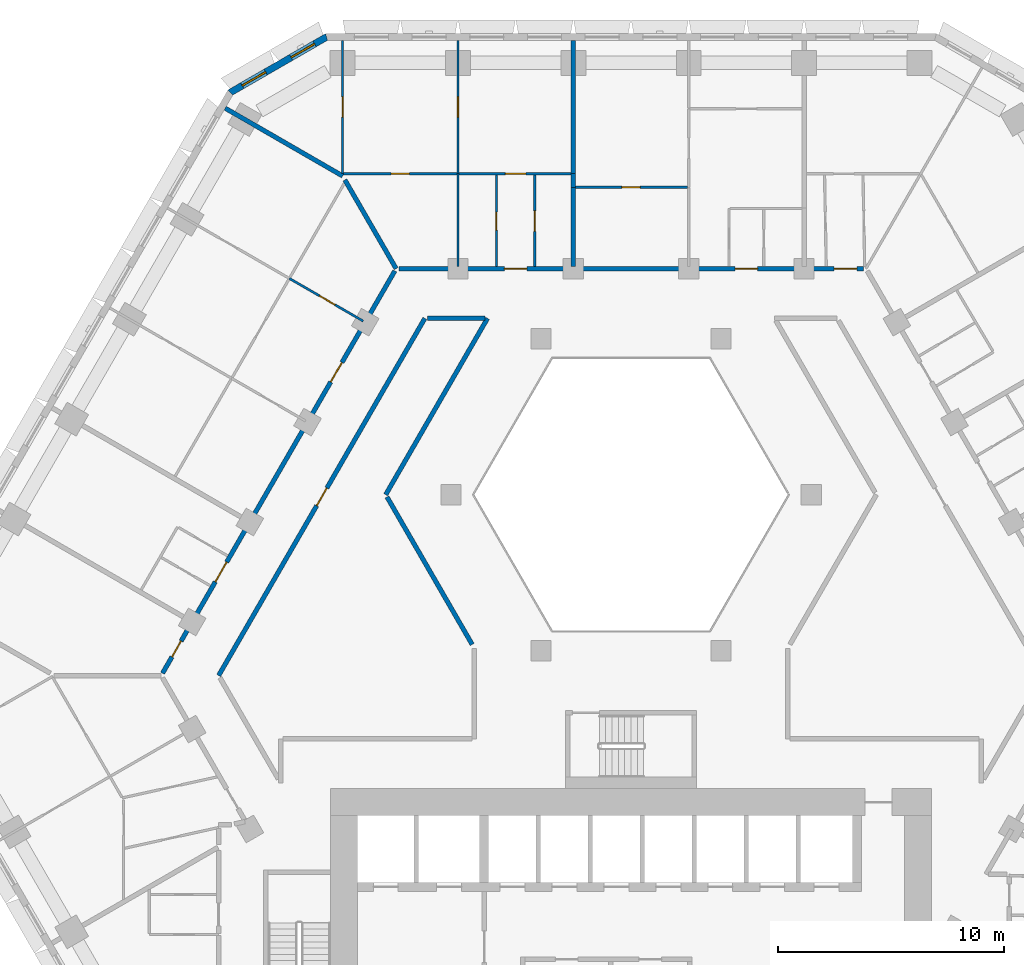
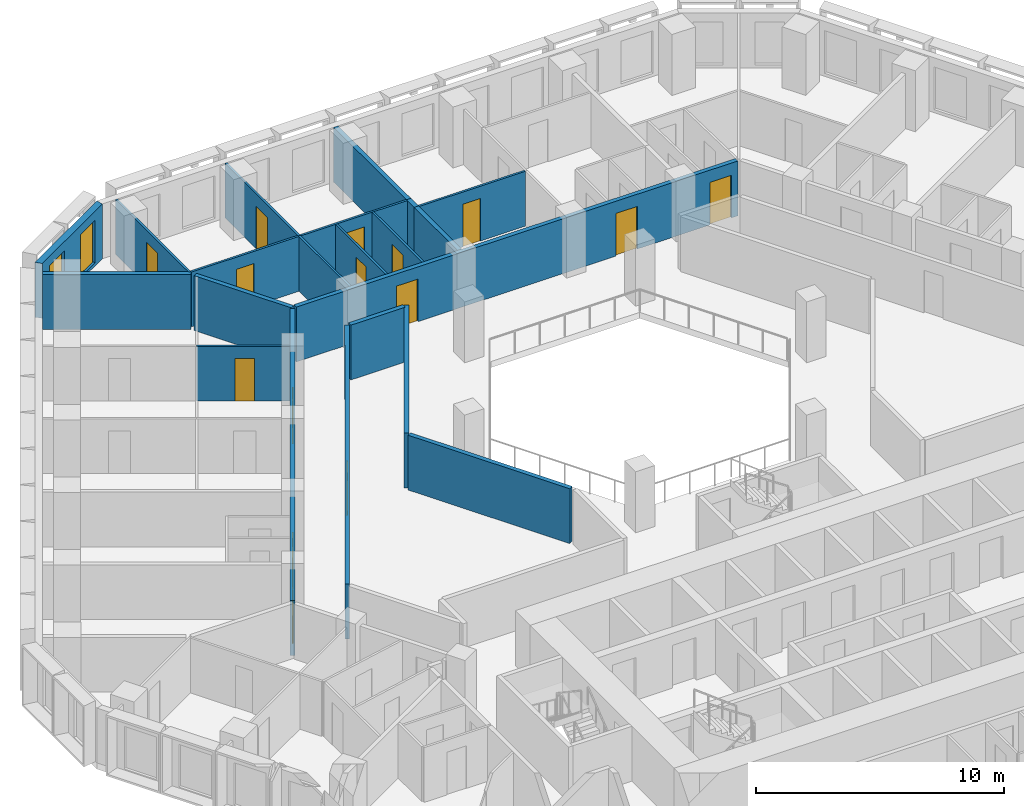
# One storey, part 9 of 21: 20 walls, 15 doors, 2 windows, 17 openings.
"""IFC4 building model written with IfcOpenShell, lengths in metres."""

from ifc_helpers import new_model, si_unit, direction, frame, frame_2d, origin, place, context, subcontext, project, spatial, polyline, rectangle, outline, extrude, material, layer, layer_set, type_object, element, fill, save


model = new_model("IFC4")

# Units and contexts
model_context = context("Model", 3, precision=1e-05, world=origin(), true_north=direction((0.0, 1.0)))
body_context = subcontext(model_context, "Body", "Model", "MODEL_VIEW")
ifc_project = project(units=[si_unit("LENGTHUNIT", "METRE"), si_unit("AREAUNIT", "SQUARE_METRE"), si_unit("VOLUMEUNIT", "CUBIC_METRE"), si_unit("PLANEANGLEUNIT", "RADIAN"), si_unit("MASSUNIT", "GRAM", prefix="KILO")], contexts=[model_context])

# Site, building, storey
site_placement = place(None, origin())
site = spatial("IfcSite", under=ifc_project, at=site_placement, CompositionType="ELEMENT")
building_placement = place(site_placement, origin())
building = spatial("IfcBuilding", under=site, at=building_placement, Name="Beryl Residences", CompositionType="ELEMENT")
storey_placement = place(building_placement, frame((0.0, 0.0, 41.39990234375)))
storey = spatial("IfcBuildingStorey", under=building, at=storey_placement, Name="L12", CompositionType="ELEMENT", Elevation=41.39990234375)

# Wall, openings, windows
ifc_material_1 = material(Name="Composite metal panel with mineral wool insulation")
ifc_layer_1 = layer(ifc_material_1, 0.300048828125)
ifc_layer_set_1 = layer_set([ifc_layer_1], Name="ES1 pale metal composite panel wall 300 mm")
wall_type_1 = type_object("IfcWallType", Name="ES1 pale metal composite panel wall 300 mm", PredefinedType="SOLIDWALL", material=ifc_layer_set_1)
wall_1_placement = place(storey_placement, frame((-13.43505859375, 28.27001953125, 0.0), z_axis=(0.0, 0.0, 1.0), x_axis=(-0.866010750942, -0.50002537861, 0.0)))
wall_1 = element("IfcWall", 1, at=wall_1_placement, inside=storey, type_object=wall_type_1, Name="ES1 external wall L12 N-NW", PredefinedType="SOLIDWALL", context=body_context, shape_type="SweptSolid", body=[
    extrude(outline(polyline([(0.0, -0.14990234375), (4.999755859375, -0.14990234375), (4.91943359375, 0.14990234375), (0.080322265625, 0.14990234375), (0.0, -0.14990234375)])), origin(), (0.0, 0.0, 1.0), 2.7001953125),
])
opening_1_placement = place(wall_1_placement, frame((0.64990234375, 0.0, 0.14990234375)))
opening_1 = element("IfcOpeningElement", 2, at=opening_1_placement, cuts=wall_1, Name="Opening W2", PredefinedType="OPENING", context=body_context, shape_type="SweptSolid", body=[
    extrude(rectangle(XDim=1.199951171875, YDim=2.10009765625, at=frame_2d((0.60009765625, 1.050048828125))), frame((0.0, 0.159912109375, 0.0), z_axis=(0.0, -1.0, 0.0), x_axis=(1.0, 0.0, 0.0)), (0.0, 0.0, 1.0), 0.320068359375),
])
opening_2_placement = place(wall_1_placement, frame((3.14892578125, 0.0, 0.14990234375)))
opening_2 = element("IfcOpeningElement", 3, at=opening_2_placement, cuts=wall_1, Name="Opening W2", PredefinedType="OPENING", context=body_context, shape_type="SweptSolid", body=[
    extrude(rectangle(XDim=1.199951171875, YDim=2.10009765625, at=frame_2d((0.60009765625, 1.050048828125))), frame((0.0, 0.159912109375, 0.0), z_axis=(0.0, -1.0, 0.0), x_axis=(1.0, 0.0, 0.0)), (0.0, 0.0, 1.0), 0.320068359375),
])
ifc_material_2 = material(Name="Aluminium and clear glass", Category="aluminium")
window_type = type_object("IfcWindowType", Name="W2 chamfer window 1200 x 2100 mm", PartitioningType="SINGLE_PANEL", PredefinedType="WINDOW", material=ifc_material_2)
window_1_placement = place(opening_1_placement, origin())
window_1 = element("IfcWindow", 4, at=window_1_placement, inside=storey, type_object=window_type, Name="W2 window L12 N-NW 1", OverallHeight=2.10009765625, OverallWidth=1.199951171875, PartitioningType="SINGLE_PANEL", PredefinedType="WINDOW", context=body_context, shape_type="SweptSolid", body=[
    extrude(rectangle(XDim=1.199951171875, YDim=2.10009765625, at=frame_2d((0.60009765625, 1.050048828125))), frame((0.0, 0.030029296875, 0.0), z_axis=(0.0, -1.0, 0.0), x_axis=(1.0, 0.0, 0.0)), (0.0, 0.0, 1.0), 0.06005859375),
])
fill(opening_1, window_1)
window_2_placement = place(opening_2_placement, origin())
window_2 = element("IfcWindow", 5, at=window_2_placement, inside=storey, type_object=window_type, Name="W2 window L12 N-NW 2", OverallHeight=2.10009765625, OverallWidth=1.199951171875, PartitioningType="SINGLE_PANEL", PredefinedType="WINDOW", context=body_context, shape_type="SweptSolid", body=[
    extrude(rectangle(XDim=1.199951171875, YDim=2.10009765625, at=frame_2d((0.60009765625, 1.050048828125))), frame((0.0, 0.030029296875, 0.0), z_axis=(0.0, -1.0, 0.0), x_axis=(1.0, 0.0, 0.0)), (0.0, 0.0, 1.0), 0.06005859375),
])
fill(opening_2, window_2)

# Wall, opening, door
ifc_material_3 = material(Name="Gypsum board partition on steel studs", Category="steel")
ifc_layer_2 = layer(ifc_material_3, 0.10009765625)
ifc_layer_set_2 = layer_set([ifc_layer_2], Name="PT1 partition 100 mm gypsum board on steel studs")
wall_type_2 = type_object("IfcWallType", Name="PT1 partition 100 mm gypsum board on steel studs", PredefinedType="PARTITIONING", material=ifc_layer_set_2)
wall_2_placement = place(storey_placement, frame((-2.452880859375, 21.60009765625, 0.0), z_axis=(0.0, 0.0, 1.0), x_axis=(1.0, 0.0, 0.0)))
wall_2 = element("IfcWall", 6, at=wall_2_placement, inside=storey, type_object=wall_type_2, Name="Wall PT1 L12 036", PredefinedType="PARTITIONING", context=body_context, shape_type="SweptSolid", body=[
    extrude(rectangle(XDim=4.953857421875, YDim=0.10009765625, at=frame_2d((2.47705078125, 0.0))), origin(), (0.0, 0.0, 1.0), 2.7001953125),
])
opening_3_placement = place(wall_2_placement, frame((2.052001953125, 0.0, 0.0)))
opening_3 = element("IfcOpeningElement", 7, at=opening_3_placement, cuts=wall_2, Name="Opening D0274", PredefinedType="OPENING", context=body_context, shape_type="SweptSolid", body=[
    extrude(rectangle(XDim=0.800048828125, YDim=2.10009765625, at=frame_2d((0.39990234375, 1.050048828125))), frame((0.0, 0.06005859375, 0.0), z_axis=(0.0, -1.0, 0.0), x_axis=(1.0, 0.0, 0.0)), (0.0, 0.0, 1.0), 0.1201171875),
])
ifc_material_4 = material(Name="Timber door leaf", Category="wood")
door_type_1 = type_object("IfcDoorType", Name="D3 bathroom door 800 x 2100 mm", OperationType="SINGLE_SWING_LEFT", PredefinedType="DOOR", material=ifc_material_4)
door_1_placement = place(opening_3_placement, origin())
door_1 = element("IfcDoor", 8, at=door_1_placement, inside=storey, type_object=door_type_1, Name="Door D0274 L12 001", OperationType="SINGLE_SWING_RIGHT", OverallHeight=2.10009765625, OverallWidth=0.800048828125, PredefinedType="DOOR", context=body_context, shape_type="SweptSolid", body=[
    extrude(rectangle(XDim=0.800048828125, YDim=2.10009765625, at=frame_2d((0.39990234375, 1.050048828125))), frame((0.0, 0.02490234375, 0.0), z_axis=(0.0, -1.0, 0.0), x_axis=(1.0, 0.0, 0.0)), (0.0, 0.0, 1.0), 0.050048828125),
])
fill(opening_3, door_1)

# Wall, openings, doors
wall_3_placement = place(storey_placement, frame((-12.7109375, 22.199951171875, 0.0), z_axis=(0.0, 0.0, 1.0), x_axis=(1.0, 0.0, 0.0)))
wall_3 = element("IfcWall", 9, at=wall_3_placement, inside=storey, type_object=wall_type_2, Name="Wall PT1 L12 037", PredefinedType="PARTITIONING", context=body_context, shape_type="SweptSolid", body=[
    extrude(rectangle(XDim=10.057861328125, YDim=0.10009765625, at=frame_2d((5.02880859375, 0.0))), origin(), (0.0, 0.0, 1.0), 2.7001953125),
])
opening_4_placement = place(wall_3_placement, frame((7.156005859375, 0.0, 0.0)))
opening_4 = element("IfcOpeningElement", 10, at=opening_4_placement, cuts=wall_3, Name="Opening D0278", PredefinedType="OPENING", context=body_context, shape_type="SweptSolid", body=[
    extrude(rectangle(XDim=0.89990234375, YDim=2.10009765625, at=frame_2d((0.449951171875, 1.050048828125))), frame((0.0, 0.06005859375, 0.0), z_axis=(0.0, -1.0, 0.0), x_axis=(1.0, 0.0, 0.0)), (0.0, 0.0, 1.0), 0.1201171875),
])
opening_5_placement = place(wall_3_placement, frame((2.10205078125, 0.0, 0.0)))
opening_5 = element("IfcOpeningElement", 11, at=opening_5_placement, cuts=wall_3, Name="Opening D0281", PredefinedType="OPENING", context=body_context, shape_type="SweptSolid", body=[
    extrude(rectangle(XDim=0.800048828125, YDim=2.10009765625, at=frame_2d((0.39990234375, 1.050048828125))), frame((0.0, 0.06005859375, 0.0), z_axis=(0.0, -1.0, 0.0), x_axis=(1.0, 0.0, 0.0)), (0.0, 0.0, 1.0), 0.1201171875),
])
ifc_material_5 = material(Name="Timber door leaf", Category="wood")
door_type_2 = type_object("IfcDoorType", Name="D2 room door 900 x 2100 mm", OperationType="SINGLE_SWING_LEFT", PredefinedType="DOOR", material=ifc_material_5)
door_2_placement = place(opening_4_placement, origin())
door_2 = element("IfcDoor", 12, at=door_2_placement, inside=storey, type_object=door_type_2, Name="Door D0278 L12 001", OperationType="SINGLE_SWING_RIGHT", OverallHeight=2.10009765625, OverallWidth=0.89990234375, PredefinedType="DOOR", context=body_context, shape_type="SweptSolid", body=[
    extrude(rectangle(XDim=0.89990234375, YDim=2.10009765625, at=frame_2d((0.449951171875, 1.050048828125))), frame((0.0, 0.02490234375, 0.0), z_axis=(0.0, -1.0, 0.0), x_axis=(1.0, 0.0, 0.0)), (0.0, 0.0, 1.0), 0.050048828125),
])
fill(opening_4, door_2)
door_3_placement = place(opening_5_placement, origin())
door_3 = element("IfcDoor", 13, at=door_3_placement, inside=storey, type_object=door_type_1, Name="Door D0281 L12 001", OperationType="SINGLE_SWING_LEFT", OverallHeight=2.10009765625, OverallWidth=0.800048828125, PredefinedType="DOOR", context=body_context, shape_type="SweptSolid", body=[
    extrude(rectangle(XDim=0.800048828125, YDim=2.10009765625, at=frame_2d((0.39990234375, 1.050048828125))), frame((0.0, 0.02490234375, 0.0), z_axis=(0.0, -1.0, 0.0), x_axis=(1.0, 0.0, 0.0)), (0.0, 0.0, 1.0), 0.050048828125),
])
fill(opening_5, door_3)

# Wall, opening, door
wall_4_placement = place(storey_placement, frame((-4.2548828125, 18.10009765625, 0.0), z_axis=(0.0, 0.0, 1.0), x_axis=(0.0, 1.0, 0.0)))
wall_4 = element("IfcWall", 14, at=wall_4_placement, inside=storey, type_object=wall_type_2, Name="Wall PT1 L12 055", PredefinedType="PARTITIONING", context=body_context, shape_type="SweptSolid", body=[
    extrude(rectangle(XDim=4.0498046875, YDim=0.10009765625, at=frame_2d((2.02490234375, 0.0))), origin(), (0.0, 0.0, 1.0), 2.7001953125),
])
opening_6_placement = place(wall_4_placement, frame((1.550048828125, 0.0, 0.0)))
opening_6 = element("IfcOpeningElement", 15, at=opening_6_placement, cuts=wall_4, Name="Opening D0277", PredefinedType="OPENING", context=body_context, shape_type="SweptSolid", body=[
    extrude(rectangle(XDim=0.89990234375, YDim=2.10009765625, at=frame_2d((0.449951171875, 1.050048828125))), frame((0.0, 0.06005859375, 0.0), z_axis=(0.0, -1.0, 0.0), x_axis=(1.0, 0.0, 0.0)), (0.0, 0.0, 1.0), 0.1201171875),
])
door_4_placement = place(opening_6_placement, origin())
door_4 = element("IfcDoor", 16, at=door_4_placement, inside=storey, type_object=door_type_2, Name="Door D0277 L12 001", OperationType="SINGLE_SWING_LEFT", OverallHeight=2.10009765625, OverallWidth=0.89990234375, PredefinedType="DOOR", context=body_context, shape_type="SweptSolid", body=[
    extrude(rectangle(XDim=0.89990234375, YDim=2.10009765625, at=frame_2d((0.449951171875, 1.050048828125))), frame((0.0, 0.02490234375, 0.0), z_axis=(0.0, -1.0, 0.0), x_axis=(1.0, 0.0, 0.0)), (0.0, 0.0, 1.0), 0.050048828125),
])
fill(opening_6, door_4)

wall_5_placement = place(storey_placement, frame((-5.955078125, 18.10009765625, 0.0), z_axis=(0.0, 0.0, 1.0), x_axis=(0.0, 1.0, 0.0)))
wall_5 = element("IfcWall", 17, at=wall_5_placement, inside=storey, type_object=wall_type_2, Name="Wall PT1 L12 056", PredefinedType="PARTITIONING", context=body_context, shape_type="SweptSolid", body=[
    extrude(rectangle(XDim=4.0498046875, YDim=0.10009765625, at=frame_2d((2.02490234375, 0.0))), origin(), (0.0, 0.0, 1.0), 2.7001953125),
])
opening_7_placement = place(wall_5_placement, frame((1.60009765625, 0.0, 0.0)))
opening_7 = element("IfcOpeningElement", 18, at=opening_7_placement, cuts=wall_5, Name="Opening D0276", PredefinedType="OPENING", context=body_context, shape_type="SweptSolid", body=[
    extrude(rectangle(XDim=0.800048828125, YDim=2.10009765625, at=frame_2d((0.39990234375, 1.050048828125))), frame((0.0, 0.06005859375, 0.0), z_axis=(0.0, -1.0, 0.0), x_axis=(1.0, 0.0, 0.0)), (0.0, 0.0, 1.0), 0.1201171875),
])
door_5_placement = place(opening_7_placement, origin())
door_5 = element("IfcDoor", 19, at=door_5_placement, inside=storey, type_object=door_type_1, Name="Door D0276 L12 001", OperationType="SINGLE_SWING_RIGHT", OverallHeight=2.10009765625, OverallWidth=0.800048828125, PredefinedType="DOOR", context=body_context, shape_type="SweptSolid", body=[
    extrude(rectangle(XDim=0.800048828125, YDim=2.10009765625, at=frame_2d((0.39990234375, 1.050048828125))), frame((0.0, 0.02490234375, 0.0), z_axis=(0.0, -1.0, 0.0), x_axis=(1.0, 0.0, 0.0)), (0.0, 0.0, 1.0), 0.050048828125),
])
fill(opening_7, door_5)

# Wall
wall_6_placement = place(storey_placement, frame((-7.656982421875, 18.10009765625, 0.0), z_axis=(0.0, 0.0, 1.0), x_axis=(0.0, 1.0, 0.0)))
element("IfcWall", 20, at=wall_6_placement, inside=storey, type_object=wall_type_2, Name="Wall PT1 L12 057", PredefinedType="PARTITIONING", context=body_context, shape_type="SweptSolid", body=[
    extrude(rectangle(XDim=4.099853515625, YDim=0.10009765625, at=frame_2d((2.0498046875, 0.0))), origin(), (0.0, 0.0, 1.0), 2.7001953125),
])

# Wall, opening, door
wall_7_placement = place(storey_placement, frame((-12.760986328125, 22.199951171875, 0.0), z_axis=(0.0, 0.0, 1.0), x_axis=(0.0, 1.0, 0.0)))
wall_7 = element("IfcWall", 21, at=wall_7_placement, inside=storey, type_object=wall_type_2, Name="Wall PT1 L12 059", PredefinedType="PARTITIONING", context=body_context, shape_type="SweptSolid", body=[
    extrude(rectangle(XDim=5.900146484375, YDim=0.10009765625, at=frame_2d((2.9501953125, 0.0))), origin(), (0.0, 0.0, 1.0), 2.7001953125),
])
opening_8_placement = place(wall_7_placement, frame((2.5, 0.0, 0.0)))
opening_8 = element("IfcOpeningElement", 22, at=opening_8_placement, cuts=wall_7, Name="Opening D0280", PredefinedType="OPENING", context=body_context, shape_type="SweptSolid", body=[
    extrude(rectangle(XDim=0.89990234375, YDim=2.10009765625, at=frame_2d((0.449951171875, 1.050048828125))), frame((0.0, 0.06005859375, 0.0), z_axis=(0.0, -1.0, 0.0), x_axis=(1.0, 0.0, 0.0)), (0.0, 0.0, 1.0), 0.1201171875),
])
door_6_placement = place(opening_8_placement, origin())
door_6 = element("IfcDoor", 23, at=door_6_placement, inside=storey, type_object=door_type_2, Name="Door D0280 L12 001", OperationType="SINGLE_SWING_RIGHT", OverallHeight=2.10009765625, OverallWidth=0.89990234375, PredefinedType="DOOR", context=body_context, shape_type="SweptSolid", body=[
    extrude(rectangle(XDim=0.89990234375, YDim=2.10009765625, at=frame_2d((0.449951171875, 1.050048828125))), frame((0.0, 0.02490234375, 0.0), z_axis=(0.0, -1.0, 0.0), x_axis=(1.0, 0.0, 0.0)), (0.0, 0.0, 1.0), 0.050048828125),
])
fill(opening_8, door_6)

wall_8_placement = place(storey_placement, frame((-15.114990234375, 17.56591796875, 0.0), z_axis=(0.0, 0.0, 1.0), x_axis=(0.866008894869, -0.50002859319, 0.0)))
wall_8 = element("IfcWall", 24, at=wall_8_placement, inside=storey, type_object=wall_type_2, Name="Wall PT1 L12 076", PredefinedType="PARTITIONING", context=body_context, shape_type="SweptSolid", body=[
    extrude(rectangle(XDim=3.773681640625, YDim=0.10009765625, at=frame_2d((1.88671875, 0.0))), origin(), (0.0, 0.0, 1.0), 2.7001953125),
])
opening_9_placement = place(wall_8_placement, frame((1.535888671875, 0.0, 0.0)))
opening_9 = element("IfcOpeningElement", 25, at=opening_9_placement, cuts=wall_8, Name="Opening D0203", PredefinedType="OPENING", context=body_context, shape_type="SweptSolid", body=[
    extrude(rectangle(XDim=0.800048828125, YDim=2.10009765625, at=frame_2d((0.39990234375, 1.050048828125))), frame((0.0, 0.06005859375, 0.0), z_axis=(0.0, -1.0, 0.0), x_axis=(1.0, 0.0, 0.0)), (0.0, 0.0, 1.0), 0.1201171875),
])
door_7_placement = place(opening_9_placement, origin())
door_7 = element("IfcDoor", 26, at=door_7_placement, inside=storey, type_object=door_type_1, Name="Door D0203 L12 001", OperationType="SINGLE_SWING_LEFT", OverallHeight=2.10009765625, OverallWidth=0.800048828125, PredefinedType="DOOR", context=body_context, shape_type="SweptSolid", body=[
    extrude(rectangle(XDim=0.800048828125, YDim=2.10009765625, at=frame_2d((0.39990234375, 1.050048828125))), frame((0.0, 0.02490234375, 0.0), z_axis=(0.0, -1.0, 0.0), x_axis=(1.0, 0.0, 0.0)), (0.0, 0.0, 1.0), 0.050048828125),
])
fill(opening_9, door_7)

wall_9_placement = place(storey_placement, frame((-7.656982421875, 22.199951171875, 0.0), z_axis=(0.0, 0.0, 1.0), x_axis=(0.0, 1.0, 0.0)))
wall_9 = element("IfcWall", 27, at=wall_9_placement, inside=storey, type_object=wall_type_2, Name="Wall PT1 L12 079", PredefinedType="PARTITIONING", context=body_context, shape_type="SweptSolid", body=[
    extrude(rectangle(XDim=5.900146484375, YDim=0.10009765625, at=frame_2d((2.9501953125, 0.0))), origin(), (0.0, 0.0, 1.0), 2.7001953125),
])
opening_10_placement = place(wall_9_placement, frame((2.5, 0.0, 0.0)))
opening_10 = element("IfcOpeningElement", 28, at=opening_10_placement, cuts=wall_9, Name="Opening D0279", PredefinedType="OPENING", context=body_context, shape_type="SweptSolid", body=[
    extrude(rectangle(XDim=0.89990234375, YDim=2.10009765625, at=frame_2d((0.449951171875, 1.050048828125))), frame((0.0, 0.06005859375, 0.0), z_axis=(0.0, -1.0, 0.0), x_axis=(1.0, 0.0, 0.0)), (0.0, 0.0, 1.0), 0.1201171875),
])
door_8_placement = place(opening_10_placement, origin())
door_8 = element("IfcDoor", 29, at=door_8_placement, inside=storey, type_object=door_type_2, Name="Door D0279 L12 001", OperationType="SINGLE_SWING_LEFT", OverallHeight=2.10009765625, OverallWidth=0.89990234375, PredefinedType="DOOR", context=body_context, shape_type="SweptSolid", body=[
    extrude(rectangle(XDim=0.89990234375, YDim=2.10009765625, at=frame_2d((0.449951171875, 1.050048828125))), frame((0.0, 0.02490234375, 0.0), z_axis=(0.0, -1.0, 0.0), x_axis=(1.0, 0.0, 0.0)), (0.0, 0.0, 1.0), 0.050048828125),
])
fill(opening_10, door_8)

# Walls
ifc_material_6 = material(Name="Acoustic double stud gypsum board wall")
ifc_layer_3 = layer(ifc_material_6, 0.199951171875)
ifc_layer_set_3 = layer_set([ifc_layer_3], Name="PT3 party wall 200 mm acoustic double stud")
wall_type_3 = type_object("IfcWallType", Name="PT3 party wall 200 mm acoustic double stud", PredefinedType="PARTITIONING", material=ifc_layer_set_3)
wall_10_placement = place(storey_placement, frame((-12.658935546875, 21.926025390625, 0.0), z_axis=(0.0, 0.0, 1.0), x_axis=(0.500025458316, -0.86601070492, 0.0)))
element("IfcWall", 30, at=wall_10_placement, inside=storey, type_object=wall_type_3, Name="Wall PT3 L12 001", PredefinedType="PARTITIONING", context=body_context, shape_type="SweptSolid", body=[
    extrude(rectangle(XDim=4.533447265625, YDim=0.199951171875, at=frame_2d((2.2666015625, 0.0))), origin(), (0.0, 0.0, 1.0), 2.7001953125),
])
wall_11_placement = place(storey_placement, frame((-2.552978515625, 22.219970703125, 0.0), z_axis=(0.0, 0.0, 1.0), x_axis=(0.0, -1.0, 0.0)))
element("IfcWall", 31, at=wall_11_placement, inside=storey, type_object=wall_type_3, Name="Wall PT3 L12 004", PredefinedType="PARTITIONING", context=body_context, shape_type="SweptSolid", body=[
    extrude(rectangle(XDim=0.619873046875, YDim=0.199951171875, at=frame_2d((0.31005859375, 0.0))), origin(), (0.0, 0.0, 1.0), 2.7001953125),
])
wall_12_placement = place(storey_placement, frame((-17.955078125, 25.09912109375, 0.0), z_axis=(0.0, 0.0, 1.0), x_axis=(0.86609140076, -0.499885672459, 0.0)))
element("IfcWall", 32, at=wall_12_placement, inside=storey, type_object=wall_type_3, Name="Wall PT3 L12 012", PredefinedType="PARTITIONING", context=body_context, shape_type="SweptSolid", body=[
    extrude(rectangle(XDim=5.99951171875, YDim=0.199951171875, at=frame_2d((2.999755859375, 0.0))), origin(), (0.0, 0.0, 1.0), 2.7001953125),
])
wall_13_placement = place(storey_placement, frame((-2.552978515625, 18.10009765625, 0.0), z_axis=(0.0, 0.0, 1.0), x_axis=(0.0, 1.0, 0.0)))
element("IfcWall", 33, at=wall_13_placement, inside=storey, type_object=wall_type_3, Name="Wall PT3 L12 021", PredefinedType="PARTITIONING", context=body_context, shape_type="SweptSolid", body=[
    extrude(rectangle(XDim=3.5, YDim=0.199951171875, at=frame_2d((1.75, 0.0))), origin(), (0.0, 0.0, 1.0), 2.7001953125),
])
wall_14_placement = place(storey_placement, frame((-2.552978515625, 22.179931640625, 0.0), z_axis=(0.0, 0.0, 1.0), x_axis=(0.0, 1.0, 0.0)))
element("IfcWall", 34, at=wall_14_placement, inside=storey, type_object=wall_type_3, Name="Wall PT3 L12 022", PredefinedType="PARTITIONING", context=body_context, shape_type="SweptSolid", body=[
    extrude(rectangle(XDim=5.920166015625, YDim=0.199951171875, at=frame_2d((2.9599609375, 0.0))), origin(), (0.0, 0.0, 1.0), 2.7001953125),
])
ifc_material_7 = material(Name="Double stud gypsum board wall")
ifc_layer_4 = layer(ifc_material_7, 0.199951171875)
ifc_layer_set_4 = layer_set([ifc_layer_4], Name="PT4 corridor wall 200 mm double stud")
wall_type_4 = type_object("IfcWallType", Name="PT4 corridor wall 200 mm double stud", PredefinedType="PARTITIONING", material=ifc_layer_set_4)
wall_15_placement = place(storey_placement, frame((-10.7958984375, 7.89990234375, 0.0), z_axis=(0.0, 0.0, 1.0), x_axis=(0.499954271211, -0.866051803703, 0.0)))
element("IfcWall", 35, at=wall_15_placement, inside=storey, type_object=wall_type_4, Name="Wall PT4 L12 001", PredefinedType="PARTITIONING", context=body_context, shape_type="SweptSolid", body=[
    extrude(rectangle(XDim=7.536376953125, YDim=0.199951171875, at=frame_2d((3.76806640625, 0.0))), origin(), (0.0, 0.0, 1.0), 2.7001953125),
])
wall_16_placement = place(storey_placement, frame((-9.006103515625, 15.800048828125, 0.0), z_axis=(0.0, 0.0, 1.0), x_axis=(1.0, 0.0, 0.0)))
element("IfcWall", 36, at=wall_16_placement, inside=storey, type_object=wall_type_4, Name="Wall PT4 L12 017", PredefinedType="PARTITIONING", context=body_context, shape_type="SweptSolid", body=[
    extrude(rectangle(XDim=2.5400390625, YDim=0.199951171875, at=frame_2d((1.27001953125, 0.0))), origin(), (0.0, 0.0, 1.0), 2.7001953125),
])

# Wall, openings, doors
wall_17_placement = place(storey_placement, frame((-10.27587890625, 18.0, 0.0), z_axis=(0.0, 0.0, 1.0), x_axis=(1.0, 0.0, 0.0)))
wall_17 = element("IfcWall", 37, at=wall_17_placement, inside=storey, type_object=wall_type_4, Name="Wall PT4 L12 019", PredefinedType="PARTITIONING", context=body_context, shape_type="SweptSolid", body=[
    extrude(rectangle(XDim=20.557861328125, YDim=0.199951171875, at=frame_2d((10.27880859375, 0.0))), origin(), (0.0, 0.0, 1.0), 2.7001953125),
])
opening_11_placement = place(wall_17_placement, frame((19.264892578125, 0.0, 0.0)))
opening_11 = element("IfcOpeningElement", 38, at=opening_11_placement, cuts=wall_17, Name="Opening D0263", PredefinedType="OPENING", context=body_context, shape_type="SweptSolid", body=[
    extrude(rectangle(XDim=1.0, YDim=2.10009765625, at=frame_2d((0.5, 1.050048828125))), frame((0.0, 0.10986328125, 0.0), z_axis=(0.0, -1.0, 0.0), x_axis=(1.0, 0.0, 0.0)), (0.0, 0.0, 1.0), 0.219970703125),
])
opening_12_placement = place(wall_17_placement, frame((14.87890625, 0.0, 0.0)))
opening_12 = element("IfcOpeningElement", 39, at=opening_12_placement, cuts=wall_17, Name="Opening D0269", PredefinedType="OPENING", context=body_context, shape_type="SweptSolid", body=[
    extrude(rectangle(XDim=1.0, YDim=2.10009765625, at=frame_2d((0.5, 1.050048828125))), frame((0.0, 0.10986328125, 0.0), z_axis=(0.0, -1.0, 0.0), x_axis=(1.0, 0.0, 0.0)), (0.0, 0.0, 1.0), 0.219970703125),
])
opening_13_placement = place(wall_17_placement, frame((4.6708984375, 0.0, 0.0)))
opening_13 = element("IfcOpeningElement", 40, at=opening_13_placement, cuts=wall_17, Name="Opening D0275", PredefinedType="OPENING", context=body_context, shape_type="SweptSolid", body=[
    extrude(rectangle(XDim=1.0, YDim=2.10009765625, at=frame_2d((0.5, 1.050048828125))), frame((0.0, 0.10986328125, 0.0), z_axis=(0.0, -1.0, 0.0), x_axis=(1.0, 0.0, 0.0)), (0.0, 0.0, 1.0), 0.219970703125),
])
ifc_material_8 = material(Name="Timber door leaf", Category="wood")
door_type_3 = type_object("IfcDoorType", Name="D1 flat entrance door 1000 x 2100 mm", OperationType="SINGLE_SWING_LEFT", PredefinedType="DOOR", material=ifc_material_8)
door_9_placement = place(opening_11_placement, origin())
door_9 = element("IfcDoor", 41, at=door_9_placement, inside=storey, type_object=door_type_3, Name="Door D0263 L12 001", OperationType="SINGLE_SWING_LEFT", OverallHeight=2.10009765625, OverallWidth=1.0, PredefinedType="DOOR", context=body_context, shape_type="SweptSolid", body=[
    extrude(rectangle(XDim=1.0, YDim=2.10009765625, at=frame_2d((0.5, 1.050048828125))), frame((0.0, 0.02490234375, 0.0), z_axis=(0.0, -1.0, 0.0), x_axis=(1.0, 0.0, 0.0)), (0.0, 0.0, 1.0), 0.050048828125),
])
fill(opening_11, door_9)
door_10_placement = place(opening_12_placement, origin())
door_10 = element("IfcDoor", 42, at=door_10_placement, inside=storey, type_object=door_type_3, Name="Door D0269 L12 001", OperationType="SINGLE_SWING_LEFT", OverallHeight=2.10009765625, OverallWidth=1.0, PredefinedType="DOOR", context=body_context, shape_type="SweptSolid", body=[
    extrude(rectangle(XDim=1.0, YDim=2.10009765625, at=frame_2d((0.5, 1.050048828125))), frame((0.0, 0.02490234375, 0.0), z_axis=(0.0, -1.0, 0.0), x_axis=(1.0, 0.0, 0.0)), (0.0, 0.0, 1.0), 0.050048828125),
])
fill(opening_12, door_10)
door_11_placement = place(opening_13_placement, origin())
door_11 = element("IfcDoor", 43, at=door_11_placement, inside=storey, type_object=door_type_3, Name="Door D0275 L12 001", OperationType="SINGLE_SWING_LEFT", OverallHeight=2.10009765625, OverallWidth=1.0, PredefinedType="DOOR", context=body_context, shape_type="SweptSolid", body=[
    extrude(rectangle(XDim=1.0, YDim=2.10009765625, at=frame_2d((0.5, 1.050048828125))), frame((0.0, 0.02490234375, 0.0), z_axis=(0.0, -1.0, 0.0), x_axis=(1.0, 0.0, 0.0)), (0.0, 0.0, 1.0), 0.050048828125),
])
fill(opening_13, door_11)

# Wall
wall_18_placement = place(storey_placement, frame((-10.85400390625, 8.0, 0.0), z_axis=(0.0, 0.0, 1.0), x_axis=(0.499964141897, 0.86604610548, 0.0)))
element("IfcWall", 44, at=wall_18_placement, inside=storey, type_object=wall_type_4, Name="Wall PT4 L12 024", PredefinedType="PARTITIONING", context=body_context, shape_type="SweptSolid", body=[
    extrude(rectangle(XDim=9.006591796875, YDim=0.199951171875, at=frame_2d((4.50341796875, 0.0))), origin(), (0.0, 0.0, 1.0), 2.7001953125),
])

# Wall, opening, door
wall_19_placement = place(storey_placement, frame((-18.243896484375, -0.0009765625, 0.0), z_axis=(0.0, 0.0, 1.0), x_axis=(0.499962999376, 0.866046765051, 0.0)))
wall_19 = element("IfcWall", 45, at=wall_19_placement, inside=storey, type_object=wall_type_4, Name="Wall PT4 L12 025", PredefinedType="PARTITIONING", context=body_context, shape_type="SweptSolid", body=[
    extrude(rectangle(XDim=18.2451171875, YDim=0.199951171875, at=frame_2d((9.12255859375, 0.0))), origin(), (0.0, 0.0, 1.0), 2.7001953125),
])
opening_14_placement = place(wall_19_placement, frame((8.672119140625, 0.0, 0.0)))
opening_14 = element("IfcOpeningElement", 46, at=opening_14_placement, cuts=wall_19, Name="Opening D0282", PredefinedType="OPENING", context=body_context, shape_type="SweptSolid", body=[
    extrude(rectangle(XDim=0.89990234375, YDim=2.10009765625, at=frame_2d((0.449951171875, 1.050048828125))), frame((0.0, 0.10986328125, 0.0), z_axis=(0.0, -1.0, 0.0), x_axis=(1.0, 0.0, 0.0)), (0.0, 0.0, 1.0), 0.219970703125),
])
door_12_placement = place(opening_14_placement, origin())
door_12 = element("IfcDoor", 47, at=door_12_placement, inside=storey, type_object=door_type_2, Name="Door D0282 L12 001", OperationType="SINGLE_SWING_RIGHT", OverallHeight=2.10009765625, OverallWidth=0.89990234375, PredefinedType="DOOR", context=body_context, shape_type="SweptSolid", body=[
    extrude(rectangle(XDim=0.89990234375, YDim=2.10009765625, at=frame_2d((0.449951171875, 1.050048828125))), frame((0.0, 0.02490234375, 0.0), z_axis=(0.0, -1.0, 0.0), x_axis=(1.0, 0.0, 0.0)), (0.0, 0.0, 1.0), 0.050048828125),
])
fill(opening_14, door_12)

# Wall, openings, doors
wall_20_placement = place(storey_placement, frame((-20.72705078125, 0.09912109375, 0.0), z_axis=(0.0, 0.0, 1.0), x_axis=(0.499993204491, 0.866029327138, 0.0)))
wall_20 = element("IfcWall", 48, at=wall_20_placement, inside=storey, type_object=wall_type_4, Name="Wall PT4 L12 026", PredefinedType="PARTITIONING", context=body_context, shape_type="SweptSolid", body=[
    extrude(rectangle(XDim=20.554443359375, YDim=0.199951171875, at=frame_2d((10.27734375, 0.0))), origin(), (0.0, 0.0, 1.0), 2.7001953125),
])
opening_15_placement = place(wall_20_placement, frame((14.8798828125, 0.0, 0.0)))
opening_15 = element("IfcOpeningElement", 49, at=opening_15_placement, cuts=wall_20, Name="Opening D0201", PredefinedType="OPENING", context=body_context, shape_type="SweptSolid", body=[
    extrude(rectangle(XDim=1.0, YDim=2.10009765625, at=frame_2d((0.5, 1.050048828125))), frame((0.0, 0.10986328125, 0.0), z_axis=(0.0, -1.0, 0.0), x_axis=(1.0, 0.0, 0.0)), (0.0, 0.0, 1.0), 0.219970703125),
])
opening_16_placement = place(wall_20_placement, frame((4.673095703125, 0.0, 0.0)))
opening_16 = element("IfcOpeningElement", 50, at=opening_16_placement, cuts=wall_20, Name="Opening D0207", PredefinedType="OPENING", context=body_context, shape_type="SweptSolid", body=[
    extrude(rectangle(XDim=1.0, YDim=2.10009765625, at=frame_2d((0.5, 1.050048828125))), frame((0.0, 0.10986328125, 0.0), z_axis=(0.0, -1.0, 0.0), x_axis=(1.0, 0.0, 0.0)), (0.0, 0.0, 1.0), 0.219970703125),
])
opening_17_placement = place(wall_20_placement, frame((0.837890625, 0.0, 0.0)))
opening_17 = element("IfcOpeningElement", 51, at=opening_17_placement, cuts=wall_20, Name="Opening D0210", PredefinedType="OPENING", context=body_context, shape_type="SweptSolid", body=[
    extrude(rectangle(XDim=0.800048828125, YDim=2.10009765625, at=frame_2d((0.39990234375, 1.050048828125))), frame((0.0, 0.10986328125, 0.0), z_axis=(0.0, -1.0, 0.0), x_axis=(1.0, 0.0, 0.0)), (0.0, 0.0, 1.0), 0.219970703125),
])
door_13_placement = place(opening_15_placement, origin())
door_13 = element("IfcDoor", 52, at=door_13_placement, inside=storey, type_object=door_type_3, Name="Door D0201 L12 001", OperationType="SINGLE_SWING_LEFT", OverallHeight=2.10009765625, OverallWidth=1.0, PredefinedType="DOOR", context=body_context, shape_type="SweptSolid", body=[
    extrude(rectangle(XDim=1.0, YDim=2.10009765625, at=frame_2d((0.5, 1.050048828125))), frame((0.0, 0.02490234375, 0.0), z_axis=(0.0, -1.0, 0.0), x_axis=(1.0, 0.0, 0.0)), (0.0, 0.0, 1.0), 0.050048828125),
])
fill(opening_15, door_13)
door_14_placement = place(opening_16_placement, origin())
door_14 = element("IfcDoor", 53, at=door_14_placement, inside=storey, type_object=door_type_3, Name="Door D0207 L12 001", OperationType="SINGLE_SWING_LEFT", OverallHeight=2.10009765625, OverallWidth=1.0, PredefinedType="DOOR", context=body_context, shape_type="SweptSolid", body=[
    extrude(rectangle(XDim=1.0, YDim=2.10009765625, at=frame_2d((0.5, 1.050048828125))), frame((0.0, 0.02490234375, 0.0), z_axis=(0.0, -1.0, 0.0), x_axis=(1.0, 0.0, 0.0)), (0.0, 0.0, 1.0), 0.050048828125),
])
fill(opening_16, door_14)
door_15_placement = place(opening_17_placement, origin())
door_15 = element("IfcDoor", 54, at=door_15_placement, inside=storey, type_object=door_type_1, Name="Door D0210 L12 001", OperationType="SINGLE_SWING_RIGHT", OverallHeight=2.10009765625, OverallWidth=0.800048828125, PredefinedType="DOOR", context=body_context, shape_type="SweptSolid", body=[
    extrude(rectangle(XDim=0.800048828125, YDim=2.10009765625, at=frame_2d((0.39990234375, 1.050048828125))), frame((0.0, 0.02490234375, 0.0), z_axis=(0.0, -1.0, 0.0), x_axis=(1.0, 0.0, 0.0)), (0.0, 0.0, 1.0), 0.050048828125),
])
fill(opening_17, door_15)

save(model, "model.ifc")
